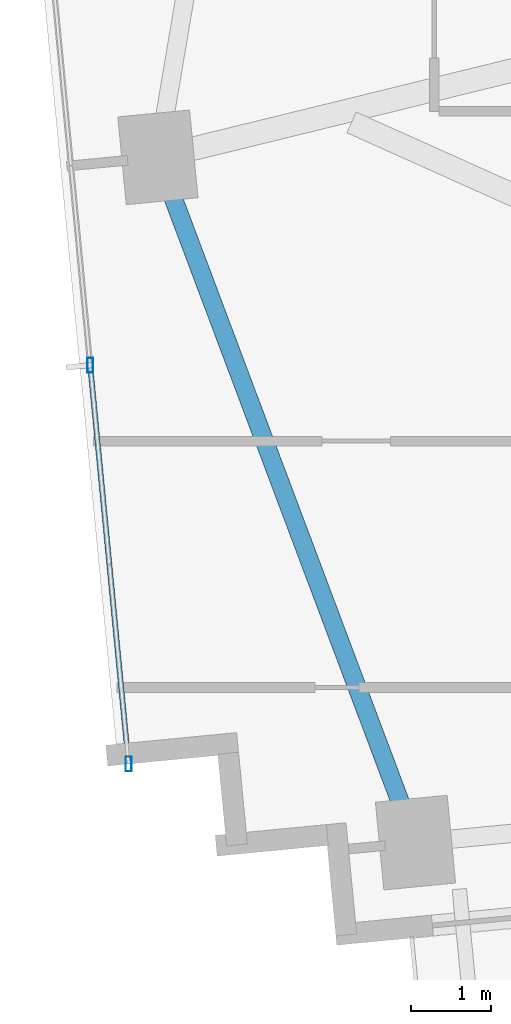
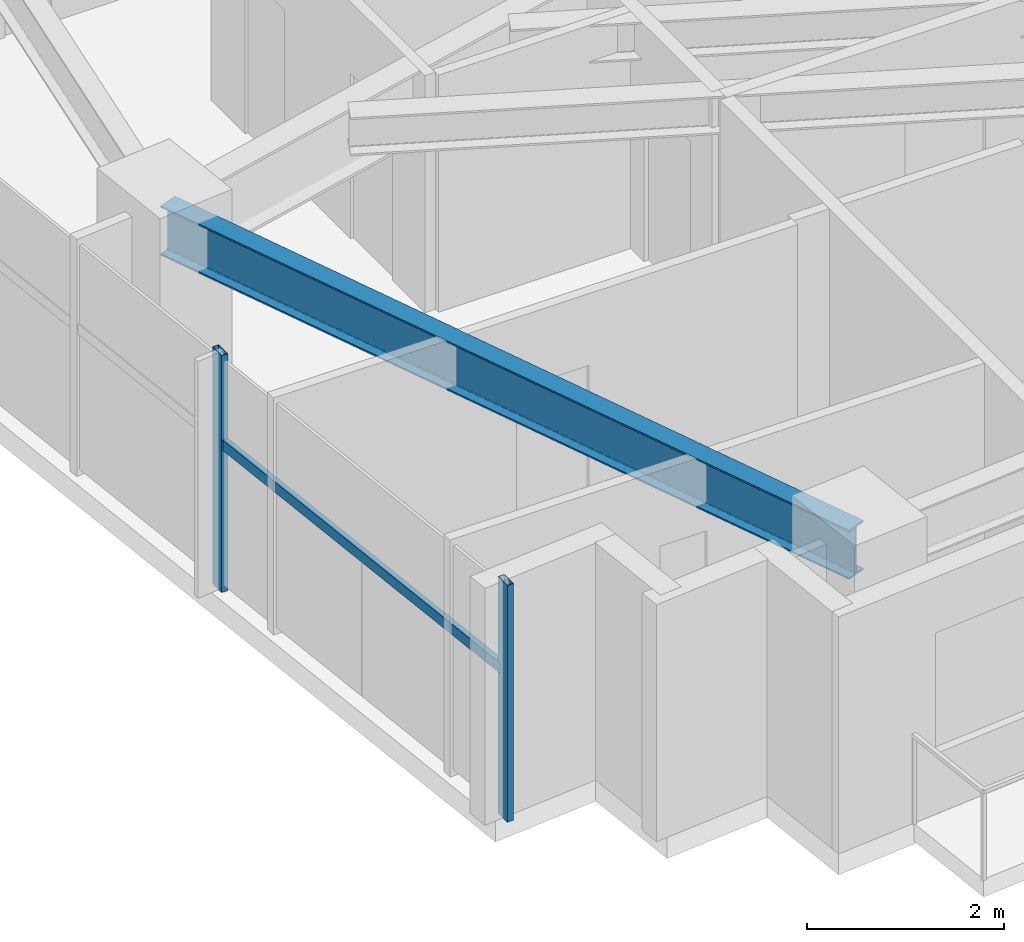
# One storey, part 2 of 25: 3 members, 1 beam, 1 element without a shape of its own.
"""IFC4 building model written with IfcOpenShell, lengths in metres."""

import ifcopenshell
import ifcopenshell.guid

model = None  # the IFC model being written
_history = None  # IfcOwnerHistory: only IFC2X3 demands one
_inside = {}  # id of a spatial element -> (the spatial element, [elements in it])
_under = {}  # id of a project, library or spatial element -> (it, [spatial elements below it])
_declared = {}  # id of a project -> (the project, [libraries it declares])
_typed = {}  # id of a type object -> (the type object, [elements of that type])
_made_of = {}  # id of a material, layer set ... -> (it, [elements and type objects made of it])


def new_model(schema):
    """Start an empty IFC model of exactly this schema.

    Asked for "IFC4X3", IfcOpenShell would pick the latest addendum, in which some entities
    have other attributes; the version numbers below select the first issue.
    IFC2X3 requires an IfcOwnerHistory on every rooted entity: one is made here for all.
    """
    global model, _history
    if schema == "IFC4X3":
        model = ifcopenshell.file(schema_version=(4, 3, 0, 0))
    else:
        model = ifcopenshell.file(schema=schema)
    _inside.clear()
    _under.clear()
    _declared.clear()
    _typed.clear()
    _made_of.clear()
    _history = None
    if model.schema == "IFC2X3":
        org = make("IfcOrganization", Name="unknown")
        user = make(
            "IfcPersonAndOrganization",
            ThePerson=make("IfcPerson", FamilyName="unknown"),
            TheOrganization=org,
        )
        app = make(
            "IfcApplication",
            ApplicationDeveloper=org,
            Version="unknown",
            ApplicationFullName="unknown",
            ApplicationIdentifier="unknown",
        )
        _history = make(
            "IfcOwnerHistory",
            OwningUser=user,
            OwningApplication=app,
            ChangeAction="ADDED",
            CreationDate=0,
        )
    return model


def make(cls, **values):
    """One entity of the class cls with the attributes given. An attribute that is None is left unset."""
    return model.create_entity(
        cls, **{name: value for name, value in values.items() if value is not None}
    )


def rooted(cls, **values):
    """An entity with a GlobalId (a new one), such as an element, a storey or a relation."""
    return make(cls, GlobalId=ifcopenshell.guid.new(), OwnerHistory=_history, **values)


def si_unit(unit_type, name, prefix=None):
    """IfcSIUnit, for example si_unit("LENGTHUNIT", "METRE", prefix="MILLI")."""
    return make("IfcSIUnit", UnitType=unit_type, Prefix=prefix, Name=name)


def assignment(units):
    """IfcUnitAssignment: the units of a project."""
    return None if units is None else make("IfcUnitAssignment", Units=units)


def point(xyz):
    """IfcCartesianPoint."""
    return None if xyz is None else make("IfcCartesianPoint", Coordinates=xyz)


def direction(xyz):
    """IfcDirection."""
    return None if xyz is None else make("IfcDirection", DirectionRatios=xyz)


def frame(location, z_axis=None, x_axis=None):
    """IfcAxis2Placement3D, a coordinate frame: its origin and axes. An axis left out is left unset."""
    return make(
        "IfcAxis2Placement3D",
        Location=point(location),
        Axis=direction(z_axis),
        RefDirection=direction(x_axis),
    )


def frame_2d(location, x_axis=None):
    """IfcAxis2Placement2D, a coordinate frame in the plane: its origin and x axis."""
    return make(
        "IfcAxis2Placement2D", Location=point(location), RefDirection=direction(x_axis)
    )


def origin():
    """The frame at (0, 0, 0) with its axes left unset."""
    return frame((0.0, 0.0, 0.0))


def origin_2d():
    """The frame at (0, 0) in the plane with its x axis left unset."""
    return frame_2d((0.0, 0.0))


def place(relative_to, where):
    """IfcLocalPlacement: puts the frame where relative to a parent placement (None: the world)."""
    return make(
        "IfcLocalPlacement", PlacementRelTo=relative_to, RelativePlacement=where
    )


def context(
    kind, dimensions, precision=None, world=None, true_north=None, identifier=None
):
    """IfcGeometricRepresentationContext, for example the 3D "Model" context."""
    return make(
        "IfcGeometricRepresentationContext",
        ContextIdentifier=identifier,
        ContextType=kind,
        CoordinateSpaceDimension=dimensions,
        Precision=precision,
        WorldCoordinateSystem=world,
        TrueNorth=true_north,
    )


def subcontext(parent, identifier, kind, view, scale=None):
    """IfcGeometricRepresentationSubContext, for example "Body" below "Model"."""
    return make(
        "IfcGeometricRepresentationSubContext",
        ContextIdentifier=identifier,
        ContextType=kind,
        ParentContext=parent,
        TargetScale=scale,
        TargetView=view,
    )


def project(units=None, contexts=None):
    """IfcProject with its units and contexts."""
    return rooted(
        "IfcProject",
        Name="project",
        RepresentationContexts=contexts,
        UnitsInContext=assignment(units),
    )


def spatial(cls, under=None, at=None, **own):
    """A site, building, storey or space (cls), placed at a placement, below another one or the project."""
    s = rooted(cls, ObjectPlacement=at, **own)
    if under is not None:
        _under.setdefault(under.id(), (under, []))[1].append(s)
    return s


def profile(cls, at=None, kind="AREA", **sizes):
    """A parametric profile (cls). Its sizes go by their IFC names, for example OverallWidth=200.0."""
    return make(cls, ProfileType=kind, Position=at, **sizes)


def hollow_rectangle(**sizes):
    """IfcRectangleHollowProfileDef."""
    return profile("IfcRectangleHollowProfileDef", **sizes)


def i_section(**sizes):
    """IfcIShapeProfileDef."""
    return profile("IfcIShapeProfileDef", **sizes)


def extrude(swept, where, along, depth):
    """IfcExtrudedAreaSolid: the profile swept, set in the frame where, extruded along a direction by depth."""
    return make(
        "IfcExtrudedAreaSolid",
        SweptArea=swept,
        Position=where,
        ExtrudedDirection=direction(along),
        Depth=depth,
    )


def shape(context_of_items, identifier, shape_type, items):
    """IfcShapeRepresentation: the items that make up one representation, for example the "Body"."""
    return make(
        "IfcShapeRepresentation",
        ContextOfItems=context_of_items,
        RepresentationIdentifier=identifier,
        RepresentationType=shape_type,
        Items=items,
    )


def source(mapping_origin, context_of_items, identifier, shape_type, items):
    """IfcRepresentationMap: a shape defined once, which mapped items show again and again."""
    return make(
        "IfcRepresentationMap",
        MappingOrigin=mapping_origin,
        MappedRepresentation=shape(context_of_items, identifier, shape_type, items),
    )


def transform(
    local_origin,
    x_axis=None,
    y_axis=None,
    z_axis=None,
    scale=None,
    scale2=None,
    scale3=None,
    uniform=True,
):
    """IfcCartesianTransformationOperator3D, or its non-uniform kind. x_axis, y_axis, z_axis: its Axis1, 2, 3."""
    if uniform:
        return make(
            "IfcCartesianTransformationOperator3D",
            Axis1=direction(x_axis),
            Axis2=direction(y_axis),
            LocalOrigin=point(local_origin),
            Scale=scale,
            Axis3=direction(z_axis),
        )
    return make(
        "IfcCartesianTransformationOperator3DnonUniform",
        Axis1=direction(x_axis),
        Axis2=direction(y_axis),
        LocalOrigin=point(local_origin),
        Scale=scale,
        Axis3=direction(z_axis),
        Scale2=scale2,
        Scale3=scale3,
    )


def mapped(mapping_source, mapping_target):
    """IfcMappedItem: shows the shape of a source again, moved by a transform."""
    return make(
        "IfcMappedItem", MappingSource=mapping_source, MappingTarget=mapping_target
    )


def material(Name=None, Category=None):
    """IfcMaterial."""
    return make("IfcMaterial", Name=Name, Category=Category)


def material_profile(
    of_material, cross_section, Name=None, Category=None, Priority=None
):
    """IfcMaterialProfile: a cross section and its material."""
    return make(
        "IfcMaterialProfile",
        Name=Name,
        Material=of_material,
        Profile=cross_section,
        Priority=Priority,
        Category=Category,
    )


def profile_set(profiles, Name=None, composite=None):
    """IfcMaterialProfileSet."""
    return make(
        "IfcMaterialProfileSet",
        Name=Name,
        MaterialProfiles=profiles,
        CompositeProfile=composite,
    )


def made_of(thing, what):
    """Note that an element or type object is made of a material, layer set ...; save() writes the relation."""
    if what is not None:
        _made_of.setdefault(what.id(), (what, []))[1].append(thing)
    return thing


def type_object(cls, material=None, **own):
    """A type object (cls), such as IfcWallType, which elements share."""
    return made_of(rooted(cls, **own), material)


def type_shapes(of_type, sources):
    """Give a type object the sources (RepresentationMaps) that its elements show as mapped items."""
    of_type.RepresentationMaps = sources


def element(
    cls,
    number,
    at=None,
    inside=None,
    cuts=None,
    type_object=None,
    material=None,
    context=None,
    identifier="Body",
    shape_type=None,
    held_by="IfcProductDefinitionShape",
    body=None,
    shapes=None,
    **own,
):
    """One element of the class cls, such as IfcWall. Its Tag is "e" and its number.

    at: its placement. inside: the storey or other place that contains it. cuts: it is an
    opening in that element (IfcRelVoidsElement). A single representation is given by context,
    identifier, shape_type and body (its items); several are given by shapes. held_by: the class
    of the entity that holds the representations. save() writes the other relations.
    """
    e = rooted(cls, Tag="e%d" % number, ObjectPlacement=at, **own)
    if body is not None:
        shapes = [shape(context, identifier, shape_type, body)]
    if shapes is not None:
        e.Representation = make(held_by, Representations=shapes)
    if inside is not None:
        _inside.setdefault(inside.id(), (inside, []))[1].append(e)
    if cuts is not None:
        rooted(
            "IfcRelVoidsElement", RelatingBuildingElement=cuts, RelatedOpeningElement=e
        )
    if type_object is not None:
        _typed.setdefault(type_object.id(), (type_object, []))[1].append(e)
    return made_of(e, material)


def aggregate(whole, parts):
    """IfcRelAggregates: a whole, such as a stair, and the parts it consists of."""
    return rooted("IfcRelAggregates", RelatingObject=whole, RelatedObjects=parts)


def save(model, path):
    """Write the relations noted so far, then the file.

    IfcRelAggregates (storeys below a building ...), IfcRelContainedInSpatialStructure (elements
    in a storey), IfcRelDefinesByType, IfcRelAssociatesMaterial and IfcRelDeclares: one each for
    every whole, place, type object, material and project.
    """
    for whole, parts in _under.values():
        aggregate(whole, parts)
    for where, things in _inside.values():
        rooted(
            "IfcRelContainedInSpatialStructure",
            RelatedElements=things,
            RelatingStructure=where,
        )
    for kind, things in _typed.values():
        rooted("IfcRelDefinesByType", RelatedObjects=things, RelatingType=kind)
    for what, things in _made_of.values():
        rooted("IfcRelAssociatesMaterial", RelatedObjects=things, RelatingMaterial=what)
    for by, libraries in _declared.values():
        rooted("IfcRelDeclares", RelatingContext=by, RelatedDefinitions=libraries)
    model.write(path)


model = new_model("IFC4")

# Units and contexts
model_context = context("Model", 3, precision=1e-05, world=origin(), true_north=direction((0.0, 1.0)))
body_context = subcontext(model_context, "Body", "Model", "MODEL_VIEW")
ifc_project = project(units=[si_unit("LENGTHUNIT", "METRE"), si_unit("AREAUNIT", "SQUARE_METRE"), si_unit("VOLUMEUNIT", "CUBIC_METRE"), si_unit("PLANEANGLEUNIT", "RADIAN"), si_unit("MASSUNIT", "GRAM", prefix="KILO")], contexts=[model_context])

# Site, building, storey
site_placement = place(None, origin())
site = spatial("IfcSite", under=ifc_project, at=site_placement, CompositionType="ELEMENT")
building_placement = place(site_placement, origin())
building = spatial("IfcBuilding", under=site, at=building_placement, Name="Astriad Promenade Condominiums", CompositionType="ELEMENT")
storey_placement = place(building_placement, frame((0.0, 0.0, 81.0)))
storey = spatial("IfcBuildingStorey", under=building, at=storey_placement, Name="L22", CompositionType="ELEMENT", Elevation=81.0)

# Beam
ifc_material_1 = material(Name="Steel ASTM A992 Grade 50", Category="steel")
ifc_material_profile_1 = material_profile(ifc_material_1, i_section(OverallWidth=0.22900390625, OverallDepth=0.612060546875, WebThickness=0.011962890625, FlangeThickness=0.01953125, FilletRadius=0.017822265625, at=origin_2d()), Name="W24X84")
ifc_profile_set_1 = profile_set([ifc_material_profile_1], Name="Steel ASTM A992 Grade 50")
beam_type = type_object("IfcBeamType", Name="STEEL SPANDREL BEAM W24X84", PredefinedType="SPANDREL", material=ifc_profile_set_1)
shared_shape_1 = source(origin(), body_context, "Body", "SweptSolid", [
    extrude(i_section(OverallWidth=0.22900390625, OverallDepth=0.612060546875, WebThickness=0.011962890625, FlangeThickness=0.01953125, FilletRadius=0.017822265625, at=origin_2d()), origin(), (0.0, 0.0, 1.0), 9.055419921875),
])
type_shapes(beam_type, [shared_shape_1])
beam_placement = place(storey_placement, frame((10.765625, 13.523193359375, 2.6337890625), z_axis=(0.351864937141, -0.936050781748, 0.0), x_axis=(0.936050781748, 0.351864937141, 0.0)))
element("IfcBeam", 1, at=beam_placement, inside=storey, type_object=beam_type, Name="Perimeter Spandrel Beam SP-W1-L22", PredefinedType="SPANDREL", context=body_context, shape_type="MappedRepresentation", body=[
    mapped(shared_shape_1, transform((0.0, 0.0, 0.0), scale=1.0)),
])

# Curtain wall, members
ifc_material_2 = material(Name="Anodised aluminium Black Dark Glass Unitised", Category="aluminium")
curtain_wall_type = type_object("IfcCurtainWallType", Name="CW-B2-DARK", PredefinedType="USERDEFINED", material=ifc_material_2)
curtain_wall_placement = place(storey_placement, origin())
curtain_wall = element("IfcCurtainWall", 2, at=curtain_wall_placement, inside=storey, type_object=curtain_wall_type, Name="CW-L22-W", ObjectType="UNITISED_CURTAIN_WALL", PredefinedType="USERDEFINED")
ifc_material_3 = material(Name="Anodised aluminium 6063-T6 Black", Category="aluminium")
ifc_material_profile_2 = material_profile(ifc_material_3, hollow_rectangle(XDim=0.074951171875, YDim=0.18505859375, WallThickness=0.00439453125, at=origin_2d()), Name="ALU-MUL-75X185")
ifc_profile_set_2 = profile_set([ifc_material_profile_2], Name="Anodised aluminium 6063-T6 Black")
member_type_1 = type_object("IfcMemberType", Name="MUL-ALU-MUL-75X185", PredefinedType="MULLION", material=ifc_profile_set_2)
shared_shape_2 = source(origin(), body_context, "Body", "SweptSolid", [
    extrude(hollow_rectangle(XDim=0.074951171875, YDim=0.18505859375, WallThickness=0.00439453125, at=origin_2d()), origin(), (0.0, 0.0, 1.0), 2.93994140625),
])
type_shapes(member_type_1, [shared_shape_2])
member_1_placement = place(storey_placement, frame((10.385498046875, 5.99072265625, 0.0), z_axis=(0.0, 0.0, 1.0), x_axis=(1.0, 0.0, 0.0)))
member_1 = element("IfcMember", 3, at=member_1_placement, type_object=member_type_1, Name="CW-L22-W-MUL-00", PredefinedType="MULLION", context=body_context, shape_type="MappedRepresentation", body=[
    mapped(shared_shape_2, transform((0.0, 0.0, 0.0), scale=1.0)),
])
member_2_placement = place(storey_placement, frame((9.90625, 10.9677734375, 0.0), z_axis=(0.0, 0.0, 1.0), x_axis=(1.0, 0.0, 0.0)))
member_2 = element("IfcMember", 4, at=member_2_placement, type_object=member_type_1, Name="CW-L22-W-MUL-01", PredefinedType="MULLION", context=body_context, shape_type="MappedRepresentation", body=[
    mapped(shared_shape_2, transform((0.0, 0.0, 0.0), scale=1.0)),
])
ifc_material_profile_3 = material_profile(ifc_material_3, hollow_rectangle(XDim=0.06494140625, YDim=0.1298828125, WallThickness=0.00390625, at=origin_2d()), Name="ALU-TRN-65X130")
ifc_profile_set_3 = profile_set([ifc_material_profile_3], Name="Anodised aluminium 6063-T6 Black")
member_type_2 = type_object("IfcMemberType", Name="TRN-ALU-TRN-65X130", PredefinedType="USERDEFINED", material=ifc_profile_set_3)
shared_shape_3 = source(origin(), body_context, "Body", "SweptSolid", [
    extrude(hollow_rectangle(XDim=0.06494140625, YDim=0.1298828125, WallThickness=0.00390625, at=origin_2d()), origin(), (0.0, 0.0, 1.0), 5.0),
])
type_shapes(member_type_2, [shared_shape_3])
member_3_placement = place(storey_placement, frame((10.385498046875, 5.99072265625, 1.82275390625), z_axis=(-0.095848242264, 0.995395958629, 0.0), x_axis=(-0.995395958629, -0.095848242264, 0.0)))
member_3 = element("IfcMember", 5, at=member_3_placement, type_object=member_type_2, Name="CW-L22-W-TRN-00-0", ObjectType="TRANSOM", PredefinedType="USERDEFINED", context=body_context, shape_type="MappedRepresentation", body=[
    mapped(shared_shape_3, transform((0.0, 0.0, 0.0), scale=1.0)),
])
aggregate(curtain_wall, [member_1, member_2, member_3])

save(model, "model.ifc")
